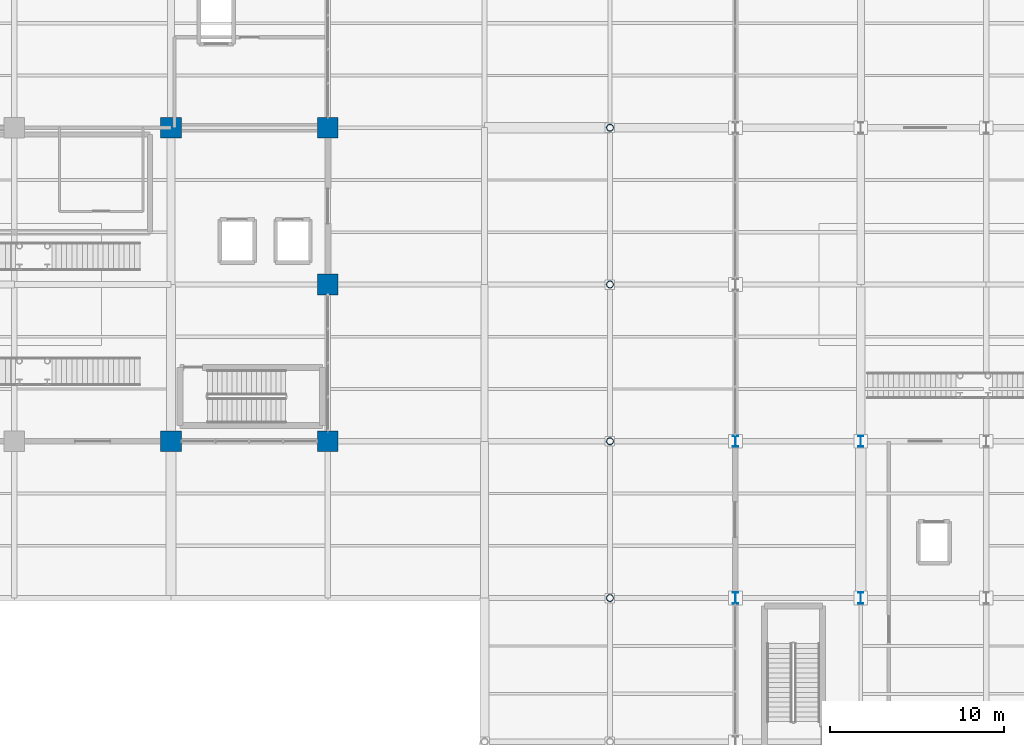
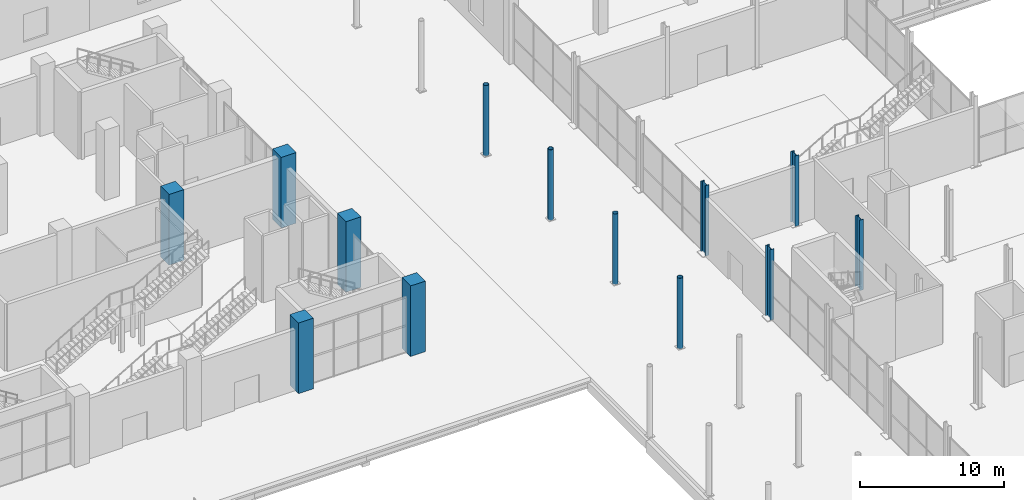
# One storey, part 4 of 144: 13 columns.
"""IFC4 building model written with IfcOpenShell, lengths in metres."""

from ifc_helpers import new_model, si_unit, direction, frame, origin, origin_2d, place, context, subcontext, project, spatial, rectangle, hollow_circle, i_section, extrude, material, material_profile, profile_set, type_object, element, save


model = new_model("IFC4")

# Units and contexts
model_context = context("Model", 3, precision=1e-05, world=origin(), true_north=direction((0.0, 1.0)))
body_context = subcontext(model_context, "Body", "Model", "MODEL_VIEW")
ifc_project = project(units=[si_unit("LENGTHUNIT", "METRE"), si_unit("AREAUNIT", "SQUARE_METRE"), si_unit("VOLUMEUNIT", "CUBIC_METRE"), si_unit("PLANEANGLEUNIT", "RADIAN"), si_unit("MASSUNIT", "GRAM", prefix="KILO")], contexts=[model_context])

# Site, building, storey
site_placement = place(None, origin())
site = spatial("IfcSite", under=ifc_project, at=site_placement, CompositionType="ELEMENT")
building_placement = place(site_placement, origin())
building = spatial("IfcBuilding", under=site, at=building_placement, Name="Sundgate Opera House", CompositionType="ELEMENT")
storey_placement = place(building_placement, origin())
storey = spatial("IfcBuildingStorey", under=building, at=storey_placement, Name="L00", CompositionType="ELEMENT", Elevation=0.0)

# Columns
ifc_material_1 = material(Name="Steel S355ML", Category="steel")
ifc_material_profile_1 = material_profile(ifc_material_1, hollow_circle(Radius=0.203125, WallThickness=0.02001953125, at=origin_2d()), Name="CHS 406.4x20.0")
ifc_profile_set_1 = profile_set([ifc_material_profile_1], Name="Steel S355ML")
column_type_1 = type_object("IfcColumnType", Name="CL-CHS-406", PredefinedType="COLUMN", material=ifc_profile_set_1)
for number, where, z_axis, x_axis, name in (
    (1, (88.199951171875, 33.0, 0.0), (0.0, 0.0, 1.0), (1.0, 0.0, 0.0), "L00 Column C0593"),
    (2, (88.199951171875, 42.0, 0.0), (0.0, 0.0, 1.0), (1.0, 0.0, 0.0), "L00 Column C0596"),
    (3, (88.199951171875, 51.0, 0.0), (0.0, 0.0, 1.0), (1.0, 0.0, 0.0), "L00 Column C0599"),
    (4, (88.199951171875, 60.0, 0.0), (0.0, 0.0, 1.0), (1.0, 0.0, 0.0), "L00 Column C0602"),
):
    element("IfcColumn", number, at=place(storey_placement, frame(where, z_axis=z_axis, x_axis=x_axis)), inside=storey, type_object=column_type_1, Name=name, PredefinedType="COLUMN", context=body_context, shape_type="SweptSolid", body=[
        extrude(hollow_circle(Radius=0.203125, WallThickness=0.02001953125, at=origin_2d()), origin(), (0.0, 0.0, 1.0), 6.0),
    ])
ifc_material_2 = material(Name="Concrete C45/55", Category="concrete")
ifc_material_profile_2 = material_profile(ifc_material_2, rectangle(XDim=1.199951171875, YDim=1.199951171875, at=origin_2d()), Name="RC 1200x1200")
ifc_profile_set_2 = profile_set([ifc_material_profile_2], Name="Concrete C45/55")
column_type_2 = type_object("IfcColumnType", Name="CL-RC-1200", PredefinedType="COLUMN", material=ifc_profile_set_2)
for number, where, z_axis, x_axis, name in (
    (5, (63.0, 42.0, 0.0), (0.0, 0.0, 1.0), (1.0, 0.0, 0.0), "L00 Column C0401"),
    (6, (63.0, 60.0, 0.0), (0.0, 0.0, 1.0), (1.0, 0.0, 0.0), "L00 Column C0409"),
    (7, (72.0, 42.0, 0.0), (0.0, 0.0, 1.0), (1.0, 0.0, 0.0), "L00 Column C0462"),
    (8, (72.0, 51.0, 0.0), (0.0, 0.0, 1.0), (1.0, 0.0, 0.0), "L00 Column C0469"),
    (9, (72.0, 60.0, 0.0), (0.0, 0.0, 1.0), (1.0, 0.0, 0.0), "L00 Column C0476"),
):
    element("IfcColumn", number, at=place(storey_placement, frame(where, z_axis=z_axis, x_axis=x_axis)), inside=storey, type_object=column_type_2, Name=name, PredefinedType="COLUMN", context=body_context, shape_type="SweptSolid", body=[
        extrude(rectangle(XDim=1.199951171875, YDim=1.199951171875, at=origin_2d()), origin(), (0.0, 0.0, 1.0), 6.0),
    ])
ifc_material_3 = material(Name="Steel S355J2", Category="steel")
ifc_material_profile_3 = material_profile(ifc_material_3, i_section(OverallWidth=0.300048828125, OverallDepth=0.64990234375, WebThickness=0.01611328125, FlangeThickness=0.031005859375, at=origin_2d()), Name="HEB 650")
ifc_profile_set_3 = profile_set([ifc_material_profile_3], Name="Steel S355J2")
column_type_3 = type_object("IfcColumnType", Name="CL-STL-650", PredefinedType="COLUMN", material=ifc_profile_set_3)
for number, where, z_axis, x_axis, name in (
    (10, (95.39990234375, 33.0, 0.0), (0.0, 0.0, 1.0), (1.0, 0.0, 0.0), "L00 Column C0641"),
    (11, (95.39990234375, 42.0, 0.0), (0.0, 0.0, 1.0), (1.0, 0.0, 0.0), "L00 Column C0645"),
    (12, (102.60009765625, 33.0, 0.0), (0.0, 0.0, 1.0), (1.0, 0.0, 0.0), "L00 Column C0708"),
    (13, (102.60009765625, 42.0, 0.0), (0.0, 0.0, 1.0), (1.0, 0.0, 0.0), "L00 Column C0712"),
):
    element("IfcColumn", number, at=place(storey_placement, frame(where, z_axis=z_axis, x_axis=x_axis)), inside=storey, type_object=column_type_3, Name=name, PredefinedType="COLUMN", context=body_context, shape_type="SweptSolid", body=[
        extrude(i_section(OverallWidth=0.300048828125, OverallDepth=0.64990234375, WebThickness=0.01611328125, FlangeThickness=0.031005859375, at=origin_2d()), origin(), (0.0, 0.0, 1.0), 6.0),
    ])

save(model, "model.ifc")
